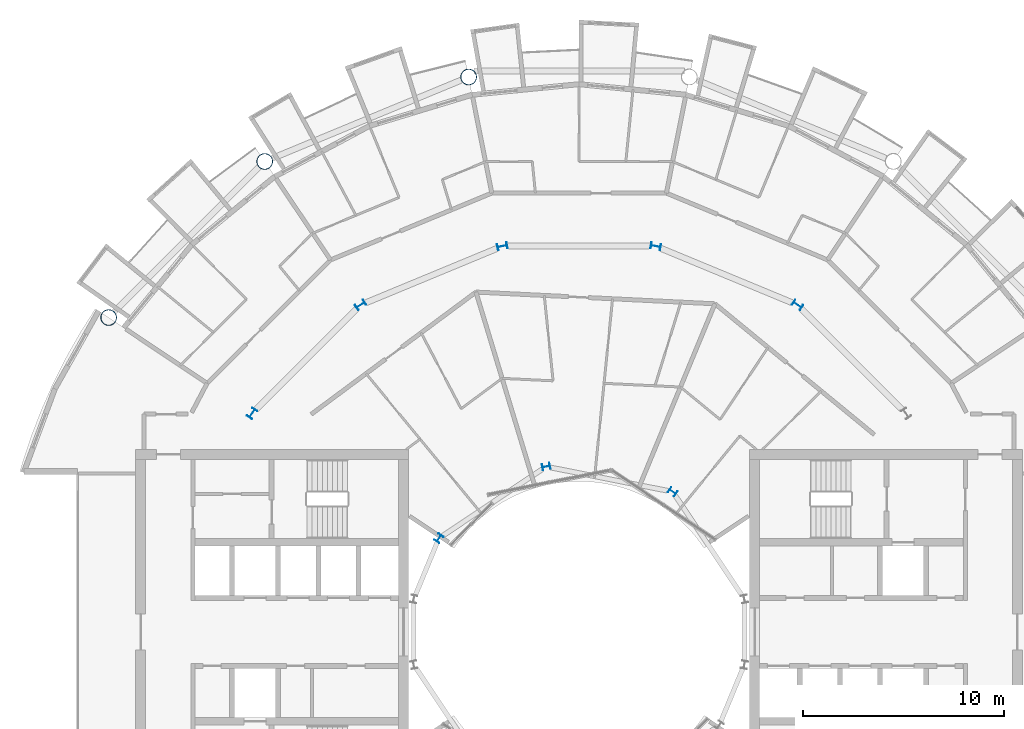
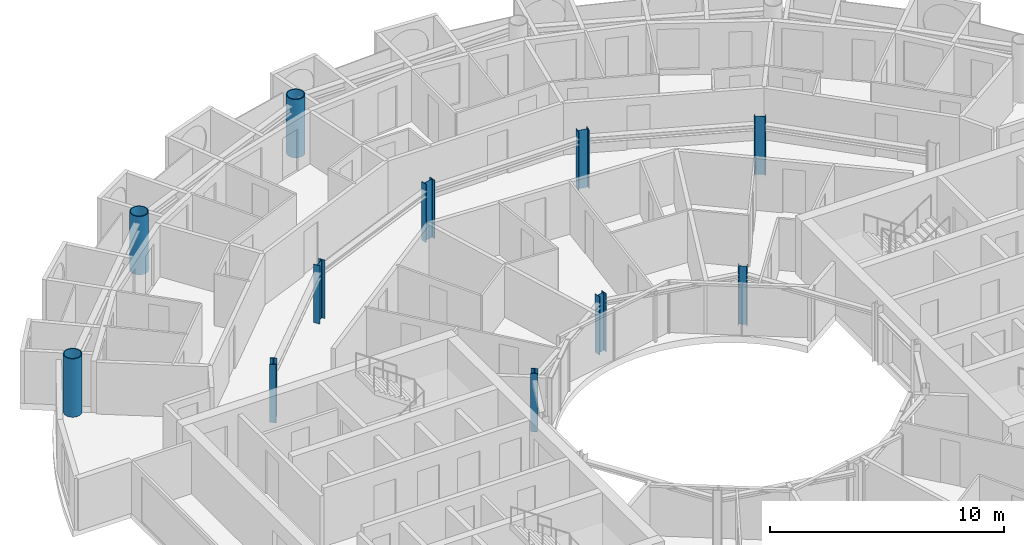
# One storey, part 3 of 27: 11 columns.
"""IFC4 building model written with IfcOpenShell, lengths in metres."""

from ifc_helpers import new_model, si_unit, direction, frame, origin, origin_2d, place, context, subcontext, project, spatial, hollow_circle, i_section, extrude, material, material_profile, profile_set, type_object, element, save


model = new_model("IFC4")

# Units and contexts
model_context = context("Model", 3, precision=1e-05, world=origin(), true_north=direction((0.0, 1.0)))
body_context = subcontext(model_context, "Body", "Model", "MODEL_VIEW")
ifc_project = project(units=[si_unit("LENGTHUNIT", "METRE"), si_unit("AREAUNIT", "SQUARE_METRE"), si_unit("VOLUMEUNIT", "CUBIC_METRE"), si_unit("PLANEANGLEUNIT", "RADIAN"), si_unit("MASSUNIT", "GRAM", prefix="KILO")], contexts=[model_context])

# Site, building, storey
site_placement = place(None, origin())
site = spatial("IfcSite", under=ifc_project, at=site_placement, CompositionType="ELEMENT")
building_placement = place(site_placement, origin())
building = spatial("IfcBuilding", under=site, at=building_placement, Name="Maasbend Ring Residences", CompositionType="ELEMENT")
storey_placement = place(building_placement, frame((0.0, 0.0, 170.75)))
storey = spatial("IfcBuildingStorey", under=building, at=storey_placement, Name="L49", CompositionType="ELEMENT", Elevation=170.75)

# Columns
ifc_material_1 = material(Name="Composite concrete-filled steel tube S460NH / C80/95", Category="concrete")
ifc_material_profile_1 = material_profile(ifc_material_1, hollow_circle(Radius=0.406494140625, WallThickness=0.0400390625, at=origin_2d()), Name="Composite tube column CHS 813x40")
ifc_profile_set_1 = profile_set([ifc_material_profile_1], Name="Composite concrete-filled steel tube S460NH / C80/95")
column_type_1 = type_object("IfcColumnType", Name="Composite tube column CHS 813x40", PredefinedType="COLUMN", material=ifc_profile_set_1)
for number, where, z_axis, x_axis, name in (
    (1, (-5.50146484375, 27.658203125, 0.0), (0.0, 0.0, 1.0), (1.0, 0.0, 0.0), "Outer column R5"),
    (2, (-15.6669921875, 23.447509765625, 0.0), (0.0, 0.0, 1.0), (1.0, 0.0, 0.0), "Outer column R6"),
    (3, (-23.447509765625, 15.6669921875, 0.0), (0.0, 0.0, 1.0), (1.0, 0.0, 0.0), "Outer column R7"),
):
    element("IfcColumn", number, at=place(storey_placement, frame(where, z_axis=z_axis, x_axis=x_axis)), inside=storey, type_object=column_type_1, Name=name, PredefinedType="COLUMN", context=body_context, shape_type="SweptSolid", body=[
        extrude(hollow_circle(Radius=0.406494140625, WallThickness=0.0400390625, at=origin_2d()), origin(), (0.0, 0.0, 1.0), 3.050048828125),
    ])
ifc_material_2 = material(Name="Steel S355J2", Category="steel")
ifc_material_profile_2 = material_profile(ifc_material_2, i_section(OverallWidth=0.300048828125, OverallDepth=0.389892578125, WebThickness=0.010986328125, FlangeThickness=0.01904296875, FilletRadius=0.027099609375, at=origin_2d()), Name="HEA 400")
ifc_profile_set_2 = profile_set([ifc_material_profile_2], Name="Steel S355J2")
column_type_2 = type_object("IfcColumnType", Name="Steel column HEA 400", PredefinedType="COLUMN", material=ifc_profile_set_2)
for number, where, z_axis, x_axis, name in (
    (4, (4.666748046875, 6.984375, 0.0), (0.0, 0.0, 1.0), (0.55557023302, 0.831469612303, 0.0), "Well ring column R3"),
    (5, (-1.638916015625, 8.238525390625, 0.0), (0.0, 0.0, 1.0), (-0.195090322016, 0.980785280403, 0.0), "Well ring column R5"),
    (6, (-6.984375, 4.666748046875, 0.0), (0.0, 0.0, 1.0), (-0.831469612303, 0.55557023302, 0.0), "Well ring column R7"),
):
    element("IfcColumn", number, at=place(storey_placement, frame(where, z_axis=z_axis, x_axis=x_axis)), inside=storey, type_object=column_type_2, Name=name, PredefinedType="COLUMN", context=body_context, shape_type="SweptSolid", body=[
        extrude(i_section(OverallWidth=0.300048828125, OverallDepth=0.389892578125, WebThickness=0.010986328125, FlangeThickness=0.01904296875, FilletRadius=0.027099609375, at=origin_2d()), origin(), (0.0, 0.0, 1.0), 3.050048828125),
    ])
ifc_material_3 = material(Name="Steel S355J2", Category="steel")
ifc_material_profile_3 = material_profile(ifc_material_3, i_section(OverallWidth=0.300048828125, OverallDepth=0.5, WebThickness=0.014404296875, FlangeThickness=0.028076171875, FilletRadius=0.027099609375, at=origin_2d()), Name="HEB 500")
ifc_profile_set_3 = profile_set([ifc_material_profile_3], Name="Steel S355J2")
column_type_3 = type_object("IfcColumnType", Name="Steel column HEB 500", PredefinedType="COLUMN", material=ifc_profile_set_3)
for number, where, z_axis, x_axis, name in (
    (7, (10.88916015625, 16.296875, 0.0), (0.0, 0.0, 1.0), (0.55557023302, 0.831469612303, 0.0), "Corridor ring column R3"),
    (8, (3.82373046875, 19.223388671875, 0.0), (0.0, 0.0, 1.0), (0.195090322016, 0.980785280403, 0.0), "Corridor ring column R4"),
    (9, (-3.82373046875, 19.223388671875, 0.0), (0.0, 0.0, 1.0), (-0.195090322016, 0.980785280403, 0.0), "Corridor ring column R5"),
    (10, (-10.88916015625, 16.296875, 0.0), (0.0, 0.0, 1.0), (-0.55557023302, 0.831469612303, 0.0), "Corridor ring column R6"),
    (11, (-16.296875, 10.88916015625, 0.0), (0.0, 0.0, 1.0), (-0.831469612303, 0.55557023302, 0.0), "Corridor ring column R7"),
):
    element("IfcColumn", number, at=place(storey_placement, frame(where, z_axis=z_axis, x_axis=x_axis)), inside=storey, type_object=column_type_3, Name=name, PredefinedType="COLUMN", context=body_context, shape_type="SweptSolid", body=[
        extrude(i_section(OverallWidth=0.300048828125, OverallDepth=0.5, WebThickness=0.014404296875, FlangeThickness=0.028076171875, FilletRadius=0.027099609375, at=origin_2d()), origin(), (0.0, 0.0, 1.0), 3.050048828125),
    ])

save(model, "model.ifc")
